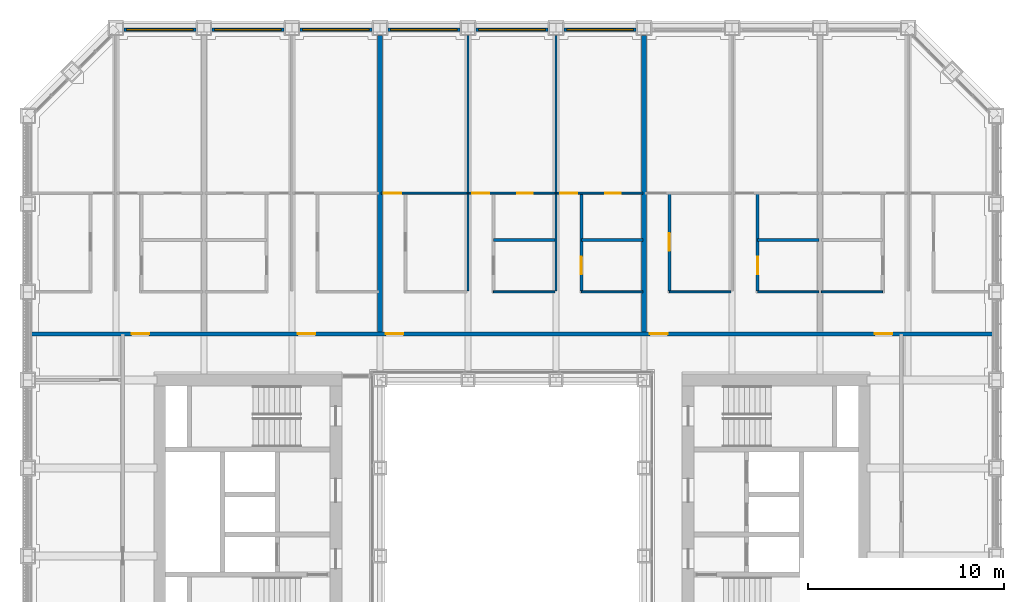
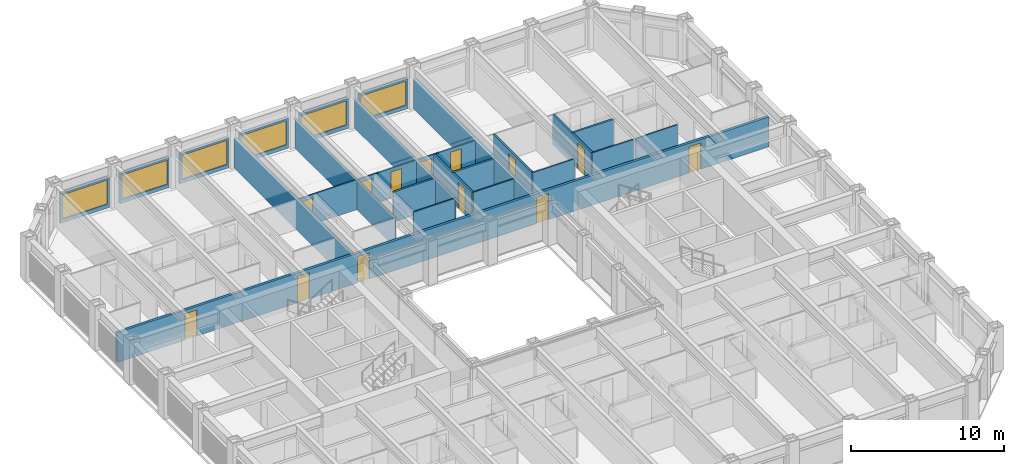
# One storey, part 14 of 21: 25 walls, 13 doors, 6 windows, 19 openings.
"""IFC4 building model written with IfcOpenShell, lengths in metres."""

from ifc_helpers import new_model, si_unit, direction, frame, frame_2d, origin, place, context, subcontext, project, spatial, rectangle, extrude, material, layer, layer_set, type_object, element, fill, save


model = new_model("IFC4")

# Units and contexts
model_context = context("Model", 3, precision=1e-05, world=origin(), true_north=direction((0.0, 1.0)))
body_context = subcontext(model_context, "Body", "Model", "MODEL_VIEW")
ifc_project = project(units=[si_unit("LENGTHUNIT", "METRE"), si_unit("AREAUNIT", "SQUARE_METRE"), si_unit("VOLUMEUNIT", "CUBIC_METRE"), si_unit("PLANEANGLEUNIT", "RADIAN"), si_unit("MASSUNIT", "GRAM", prefix="KILO")], contexts=[model_context])

# Site, building, storey
site_placement = place(None, origin())
site = spatial("IfcSite", under=ifc_project, at=site_placement, CompositionType="ELEMENT")
building_placement = place(site_placement, origin())
building = spatial("IfcBuilding", under=site, at=building_placement, Name="Msasa Ring Tower", CompositionType="ELEMENT")
storey_placement = place(building_placement, frame((0.0, 0.0, 51.0)))
storey = spatial("IfcBuildingStorey", under=building, at=storey_placement, Name="L12", CompositionType="ELEMENT", Elevation=51.0)

# Wall, opening, window
ifc_material_1 = material(Name="Terracotta rainscreen on blockwork", Category="masonry")
ifc_layer_1 = layer(ifc_material_1, 0.199951171875)
ifc_layer_set_1 = layer_set([ifc_layer_1], Name="FW1 TERRACOTTA-LINED INFILL BAY WALL 200")
wall_type_1 = type_object("IfcWallType", Name="FW1 TERRACOTTA-LINED INFILL BAY WALL 200", PredefinedType="SOLIDWALL", material=ifc_layer_set_1)
wall_1_placement = place(storey_placement, frame((-19.844970703125, 24.64990234375, 0.0), z_axis=(0.0, 0.0, 1.0), x_axis=(1.0, 0.0, 0.0)))
wall_1 = element("IfcWall", 1, at=wall_1_placement, inside=storey, type_object=wall_type_1, Name="Infill bay wall N L12 22", PredefinedType="SOLIDWALL", context=body_context, shape_type="SweptSolid", body=[
    extrude(rectangle(XDim=3.68994140625, YDim=0.199951171875, at=frame_2d((1.844970703125, 0.0))), origin(), (0.0, 0.0, 1.0), 2.37890625),
])
opening_1_placement = place(wall_1_placement, frame((0.14501953125, 0.0, 0.300048828125)))
opening_1 = element("IfcOpeningElement", 2, at=opening_1_placement, cuts=wall_1, Name="Opening WN1", PredefinedType="OPENING", context=body_context, shape_type="SweptSolid", body=[
    extrude(rectangle(XDim=3.39990234375, YDim=1.928955078125, at=frame_2d((1.699951171875, 0.96435546875))), frame((0.0, 0.10986328125, 0.0), z_axis=(0.0, -1.0, 0.0), x_axis=(1.0, 0.0, 0.0)), (0.0, 0.0, 1.0), 0.219970703125),
])
ifc_material_2 = material(Name="Aluminium frame with clear glass", Category="aluminium")
window_type = type_object("IfcWindowType", Name="WN1 RESIDENCE WINDOW 3400x1929", PartitioningType="SINGLE_PANEL", PredefinedType="WINDOW", material=ifc_material_2)
window_1_placement = place(opening_1_placement, origin())
window_1 = element("IfcWindow", 3, at=window_1_placement, inside=storey, type_object=window_type, Name="Window N L12 22", OverallHeight=1.928955078125, OverallWidth=3.39990234375, PartitioningType="SINGLE_PANEL", PredefinedType="WINDOW", context=body_context, shape_type="SweptSolid", body=[
    extrude(rectangle(XDim=3.39990234375, YDim=1.928955078125, at=frame_2d((1.699951171875, 0.96435546875))), frame((0.0, 0.030029296875, 0.0), z_axis=(0.0, -1.0, 0.0), x_axis=(1.0, 0.0, 0.0)), (0.0, 0.0, 1.0), 0.06005859375),
])
fill(opening_1, window_1)

wall_2_placement = place(storey_placement, frame((-15.344970703125, 24.64990234375, 0.0), z_axis=(0.0, 0.0, 1.0), x_axis=(1.0, 0.0, 0.0)))
wall_2 = element("IfcWall", 4, at=wall_2_placement, inside=storey, type_object=wall_type_1, Name="Infill bay wall N L12 23", PredefinedType="SOLIDWALL", context=body_context, shape_type="SweptSolid", body=[
    extrude(rectangle(XDim=3.68994140625, YDim=0.199951171875, at=frame_2d((1.844970703125, 0.0))), origin(), (0.0, 0.0, 1.0), 2.37890625),
])
opening_2_placement = place(wall_2_placement, frame((0.14501953125, 0.0, 0.300048828125)))
opening_2 = element("IfcOpeningElement", 5, at=opening_2_placement, cuts=wall_2, Name="Opening WN1", PredefinedType="OPENING", context=body_context, shape_type="SweptSolid", body=[
    extrude(rectangle(XDim=3.39990234375, YDim=1.928955078125, at=frame_2d((1.699951171875, 0.96435546875))), frame((0.0, 0.10986328125, 0.0), z_axis=(0.0, -1.0, 0.0), x_axis=(1.0, 0.0, 0.0)), (0.0, 0.0, 1.0), 0.219970703125),
])
window_2_placement = place(opening_2_placement, origin())
window_2 = element("IfcWindow", 6, at=window_2_placement, inside=storey, type_object=window_type, Name="Window N L12 23", OverallHeight=1.928955078125, OverallWidth=3.39990234375, PartitioningType="SINGLE_PANEL", PredefinedType="WINDOW", context=body_context, shape_type="SweptSolid", body=[
    extrude(rectangle(XDim=3.39990234375, YDim=1.928955078125, at=frame_2d((1.699951171875, 0.96435546875))), frame((0.0, 0.030029296875, 0.0), z_axis=(0.0, -1.0, 0.0), x_axis=(1.0, 0.0, 0.0)), (0.0, 0.0, 1.0), 0.06005859375),
])
fill(opening_2, window_2)

wall_3_placement = place(storey_placement, frame((-10.844970703125, 24.64990234375, 0.0), z_axis=(0.0, 0.0, 1.0), x_axis=(1.0, 0.0, 0.0)))
wall_3 = element("IfcWall", 7, at=wall_3_placement, inside=storey, type_object=wall_type_1, Name="Infill bay wall N L12 24", PredefinedType="SOLIDWALL", context=body_context, shape_type="SweptSolid", body=[
    extrude(rectangle(XDim=3.68994140625, YDim=0.199951171875, at=frame_2d((1.844970703125, 0.0))), origin(), (0.0, 0.0, 1.0), 2.37890625),
])
opening_3_placement = place(wall_3_placement, frame((0.14501953125, 0.0, 0.300048828125)))
opening_3 = element("IfcOpeningElement", 8, at=opening_3_placement, cuts=wall_3, Name="Opening WN1", PredefinedType="OPENING", context=body_context, shape_type="SweptSolid", body=[
    extrude(rectangle(XDim=3.39990234375, YDim=1.928955078125, at=frame_2d((1.699951171875, 0.96435546875))), frame((0.0, 0.10986328125, 0.0), z_axis=(0.0, -1.0, 0.0), x_axis=(1.0, 0.0, 0.0)), (0.0, 0.0, 1.0), 0.219970703125),
])
window_3_placement = place(opening_3_placement, origin())
window_3 = element("IfcWindow", 9, at=window_3_placement, inside=storey, type_object=window_type, Name="Window N L12 24", OverallHeight=1.928955078125, OverallWidth=3.39990234375, PartitioningType="SINGLE_PANEL", PredefinedType="WINDOW", context=body_context, shape_type="SweptSolid", body=[
    extrude(rectangle(XDim=3.39990234375, YDim=1.928955078125, at=frame_2d((1.699951171875, 0.96435546875))), frame((0.0, 0.030029296875, 0.0), z_axis=(0.0, -1.0, 0.0), x_axis=(1.0, 0.0, 0.0)), (0.0, 0.0, 1.0), 0.06005859375),
])
fill(opening_3, window_3)

wall_4_placement = place(storey_placement, frame((-6.344970703125, 24.64990234375, 0.0), z_axis=(0.0, 0.0, 1.0), x_axis=(1.0, 0.0, 0.0)))
wall_4 = element("IfcWall", 10, at=wall_4_placement, inside=storey, type_object=wall_type_1, Name="Infill bay wall N L12 25", PredefinedType="SOLIDWALL", context=body_context, shape_type="SweptSolid", body=[
    extrude(rectangle(XDim=3.68994140625, YDim=0.199951171875, at=frame_2d((1.844970703125, 0.0))), origin(), (0.0, 0.0, 1.0), 2.37890625),
])
opening_4_placement = place(wall_4_placement, frame((0.14501953125, 0.0, 0.300048828125)))
opening_4 = element("IfcOpeningElement", 11, at=opening_4_placement, cuts=wall_4, Name="Opening WN1", PredefinedType="OPENING", context=body_context, shape_type="SweptSolid", body=[
    extrude(rectangle(XDim=3.39990234375, YDim=1.928955078125, at=frame_2d((1.699951171875, 0.96435546875))), frame((0.0, 0.10986328125, 0.0), z_axis=(0.0, -1.0, 0.0), x_axis=(1.0, 0.0, 0.0)), (0.0, 0.0, 1.0), 0.219970703125),
])
window_4_placement = place(opening_4_placement, origin())
window_4 = element("IfcWindow", 12, at=window_4_placement, inside=storey, type_object=window_type, Name="Window N L12 25", OverallHeight=1.928955078125, OverallWidth=3.39990234375, PartitioningType="SINGLE_PANEL", PredefinedType="WINDOW", context=body_context, shape_type="SweptSolid", body=[
    extrude(rectangle(XDim=3.39990234375, YDim=1.928955078125, at=frame_2d((1.699951171875, 0.96435546875))), frame((0.0, 0.030029296875, 0.0), z_axis=(0.0, -1.0, 0.0), x_axis=(1.0, 0.0, 0.0)), (0.0, 0.0, 1.0), 0.06005859375),
])
fill(opening_4, window_4)

wall_5_placement = place(storey_placement, frame((-1.844970703125, 24.64990234375, 0.0), z_axis=(0.0, 0.0, 1.0), x_axis=(1.0, 0.0, 0.0)))
wall_5 = element("IfcWall", 13, at=wall_5_placement, inside=storey, type_object=wall_type_1, Name="Infill bay wall N L12 26", PredefinedType="SOLIDWALL", context=body_context, shape_type="SweptSolid", body=[
    extrude(rectangle(XDim=3.68994140625, YDim=0.199951171875, at=frame_2d((1.844970703125, 0.0))), origin(), (0.0, 0.0, 1.0), 2.37890625),
])
opening_5_placement = place(wall_5_placement, frame((0.14501953125, 0.0, 0.300048828125)))
opening_5 = element("IfcOpeningElement", 14, at=opening_5_placement, cuts=wall_5, Name="Opening WN1", PredefinedType="OPENING", context=body_context, shape_type="SweptSolid", body=[
    extrude(rectangle(XDim=3.39990234375, YDim=1.928955078125, at=frame_2d((1.699951171875, 0.96435546875))), frame((0.0, 0.10986328125, 0.0), z_axis=(0.0, -1.0, 0.0), x_axis=(1.0, 0.0, 0.0)), (0.0, 0.0, 1.0), 0.219970703125),
])
window_5_placement = place(opening_5_placement, origin())
window_5 = element("IfcWindow", 15, at=window_5_placement, inside=storey, type_object=window_type, Name="Window N L12 26", OverallHeight=1.928955078125, OverallWidth=3.39990234375, PartitioningType="SINGLE_PANEL", PredefinedType="WINDOW", context=body_context, shape_type="SweptSolid", body=[
    extrude(rectangle(XDim=3.39990234375, YDim=1.928955078125, at=frame_2d((1.699951171875, 0.96435546875))), frame((0.0, 0.030029296875, 0.0), z_axis=(0.0, -1.0, 0.0), x_axis=(1.0, 0.0, 0.0)), (0.0, 0.0, 1.0), 0.06005859375),
])
fill(opening_5, window_5)

wall_6_placement = place(storey_placement, frame((2.655029296875, 24.64990234375, 0.0), z_axis=(0.0, 0.0, 1.0), x_axis=(1.0, 0.0, 0.0)))
wall_6 = element("IfcWall", 16, at=wall_6_placement, inside=storey, type_object=wall_type_1, Name="Infill bay wall N L12 27", PredefinedType="SOLIDWALL", context=body_context, shape_type="SweptSolid", body=[
    extrude(rectangle(XDim=3.68994140625, YDim=0.199951171875, at=frame_2d((1.844970703125, 0.0))), origin(), (0.0, 0.0, 1.0), 2.37890625),
])
opening_6_placement = place(wall_6_placement, frame((0.14501953125, 0.0, 0.300048828125)))
opening_6 = element("IfcOpeningElement", 17, at=opening_6_placement, cuts=wall_6, Name="Opening WN1", PredefinedType="OPENING", context=body_context, shape_type="SweptSolid", body=[
    extrude(rectangle(XDim=3.39990234375, YDim=1.928955078125, at=frame_2d((1.699951171875, 0.96435546875))), frame((0.0, 0.10986328125, 0.0), z_axis=(0.0, -1.0, 0.0), x_axis=(1.0, 0.0, 0.0)), (0.0, 0.0, 1.0), 0.219970703125),
])
window_6_placement = place(opening_6_placement, origin())
window_6 = element("IfcWindow", 18, at=window_6_placement, inside=storey, type_object=window_type, Name="Window N L12 27", OverallHeight=1.928955078125, OverallWidth=3.39990234375, PartitioningType="SINGLE_PANEL", PredefinedType="WINDOW", context=body_context, shape_type="SweptSolid", body=[
    extrude(rectangle(XDim=3.39990234375, YDim=1.928955078125, at=frame_2d((1.699951171875, 0.96435546875))), frame((0.0, 0.030029296875, 0.0), z_axis=(0.0, -1.0, 0.0), x_axis=(1.0, 0.0, 0.0)), (0.0, 0.0, 1.0), 0.06005859375),
])
fill(opening_6, window_6)

# Wall, openings, doors
ifc_material_3 = material(Name="Concrete blockwork", Category="masonry")
ifc_layer_2 = layer(ifc_material_3, 0.199951171875)
ifc_layer_set_2 = layer_set([ifc_layer_2], Name="PT1 CORRIDOR WALL 200")
wall_type_2 = type_object("IfcWallType", Name="PT1 CORRIDOR WALL 200", PredefinedType="PARTITIONING", material=ifc_layer_set_2)
wall_7_placement = place(storey_placement, frame((-24.550048828125, 9.10009765625, 0.0), z_axis=(0.0, 0.0, 1.0), x_axis=(1.0, 0.0, 0.0)))
wall_7 = element("IfcWall", 19, at=wall_7_placement, inside=storey, type_object=wall_type_2, Name="Corridor wall L12-CORRN0", PredefinedType="PARTITIONING", context=body_context, shape_type="SweptSolid", body=[
    extrude(rectangle(XDim=49.10009765625, YDim=0.199951171875, at=frame_2d((24.550048828125, 0.0))), origin(), (0.0, 0.0, 1.0), 2.373291015625),
])
opening_7_placement = place(wall_7_placement, frame((5.10009765625, 0.0, 0.0)))
opening_7 = element("IfcOpeningElement", 20, at=opening_7_placement, cuts=wall_7, Name="Opening RC-029", PredefinedType="OPENING", context=body_context, shape_type="SweptSolid", body=[
    extrude(rectangle(XDim=0.89990234375, YDim=2.10009765625, at=frame_2d((0.449951171875, 1.050048828125))), frame((0.0, 0.10986328125, 0.0), z_axis=(0.0, -1.0, 0.0), x_axis=(1.0, 0.0, 0.0)), (0.0, 0.0, 1.0), 0.219970703125),
])
opening_8_placement = place(wall_7_placement, frame((13.60009765625, 0.0, 0.0)))
opening_8 = element("IfcOpeningElement", 21, at=opening_8_placement, cuts=wall_7, Name="Opening RC-030", PredefinedType="OPENING", context=body_context, shape_type="SweptSolid", body=[
    extrude(rectangle(XDim=0.89990234375, YDim=2.10009765625, at=frame_2d((0.449951171875, 1.050048828125))), frame((0.0, 0.10986328125, 0.0), z_axis=(0.0, -1.0, 0.0), x_axis=(1.0, 0.0, 0.0)), (0.0, 0.0, 1.0), 0.219970703125),
])
opening_9_placement = place(wall_7_placement, frame((18.10009765625, 0.0, 0.0)))
opening_9 = element("IfcOpeningElement", 22, at=opening_9_placement, cuts=wall_7, Name="Opening RC-031", PredefinedType="OPENING", context=body_context, shape_type="SweptSolid", body=[
    extrude(rectangle(XDim=0.89990234375, YDim=2.10009765625, at=frame_2d((0.449951171875, 1.050048828125))), frame((0.0, 0.10986328125, 0.0), z_axis=(0.0, -1.0, 0.0), x_axis=(1.0, 0.0, 0.0)), (0.0, 0.0, 1.0), 0.219970703125),
])
opening_10_placement = place(wall_7_placement, frame((31.60009765625, 0.0, 0.0)))
opening_10 = element("IfcOpeningElement", 23, at=opening_10_placement, cuts=wall_7, Name="Opening RC-032", PredefinedType="OPENING", context=body_context, shape_type="SweptSolid", body=[
    extrude(rectangle(XDim=0.89990234375, YDim=2.10009765625, at=frame_2d((0.449951171875, 1.050048828125))), frame((0.0, 0.10986328125, 0.0), z_axis=(0.0, -1.0, 0.0), x_axis=(1.0, 0.0, 0.0)), (0.0, 0.0, 1.0), 0.219970703125),
])
opening_11_placement = place(wall_7_placement, frame((43.10009765625, 0.0, 0.0)))
opening_11 = element("IfcOpeningElement", 24, at=opening_11_placement, cuts=wall_7, Name="Opening RC-033", PredefinedType="OPENING", context=body_context, shape_type="SweptSolid", body=[
    extrude(rectangle(XDim=0.89990234375, YDim=2.10009765625, at=frame_2d((0.449951171875, 1.050048828125))), frame((0.0, 0.10986328125, 0.0), z_axis=(0.0, -1.0, 0.0), x_axis=(1.0, 0.0, 0.0)), (0.0, 0.0, 1.0), 0.219970703125),
])
ifc_material_4 = material(Name="Timber door leaf in a steel frame", Category="steel")
door_type_1 = type_object("IfcDoorType", Name="D2 ENTRANCE DOOR 900x2100", OperationType="SINGLE_SWING_LEFT", PredefinedType="DOOR", material=ifc_material_4)
door_1_placement = place(opening_7_placement, origin())
door_1 = element("IfcDoor", 25, at=door_1_placement, inside=storey, type_object=door_type_1, Name="Door L12-UN00", OperationType="SINGLE_SWING_LEFT", OverallHeight=2.10009765625, OverallWidth=0.89990234375, PredefinedType="DOOR", context=body_context, shape_type="SweptSolid", body=[
    extrude(rectangle(XDim=0.89990234375, YDim=2.10009765625, at=frame_2d((0.449951171875, 1.050048828125))), frame((0.0, 0.02490234375, 0.0), z_axis=(0.0, -1.0, 0.0), x_axis=(1.0, 0.0, 0.0)), (0.0, 0.0, 1.0), 0.050048828125),
])
fill(opening_7, door_1)
door_2_placement = place(opening_8_placement, origin())
door_2 = element("IfcDoor", 26, at=door_2_placement, inside=storey, type_object=door_type_1, Name="Door L12-UN01", OperationType="SINGLE_SWING_LEFT", OverallHeight=2.10009765625, OverallWidth=0.89990234375, PredefinedType="DOOR", context=body_context, shape_type="SweptSolid", body=[
    extrude(rectangle(XDim=0.89990234375, YDim=2.10009765625, at=frame_2d((0.449951171875, 1.050048828125))), frame((0.0, 0.02490234375, 0.0), z_axis=(0.0, -1.0, 0.0), x_axis=(1.0, 0.0, 0.0)), (0.0, 0.0, 1.0), 0.050048828125),
])
fill(opening_8, door_2)
door_3_placement = place(opening_9_placement, origin())
door_3 = element("IfcDoor", 27, at=door_3_placement, inside=storey, type_object=door_type_1, Name="Door L12-UN02", OperationType="SINGLE_SWING_LEFT", OverallHeight=2.10009765625, OverallWidth=0.89990234375, PredefinedType="DOOR", context=body_context, shape_type="SweptSolid", body=[
    extrude(rectangle(XDim=0.89990234375, YDim=2.10009765625, at=frame_2d((0.449951171875, 1.050048828125))), frame((0.0, 0.02490234375, 0.0), z_axis=(0.0, -1.0, 0.0), x_axis=(1.0, 0.0, 0.0)), (0.0, 0.0, 1.0), 0.050048828125),
])
fill(opening_9, door_3)
door_4_placement = place(opening_10_placement, origin())
door_4 = element("IfcDoor", 28, at=door_4_placement, inside=storey, type_object=door_type_1, Name="Door L12-UN03", OperationType="SINGLE_SWING_RIGHT", OverallHeight=2.10009765625, OverallWidth=0.89990234375, PredefinedType="DOOR", context=body_context, shape_type="SweptSolid", body=[
    extrude(rectangle(XDim=0.89990234375, YDim=2.10009765625, at=frame_2d((0.449951171875, 1.050048828125))), frame((0.0, 0.02490234375, 0.0), z_axis=(0.0, -1.0, 0.0), x_axis=(1.0, 0.0, 0.0)), (0.0, 0.0, 1.0), 0.050048828125),
])
fill(opening_10, door_4)
door_5_placement = place(opening_11_placement, origin())
door_5 = element("IfcDoor", 29, at=door_5_placement, inside=storey, type_object=door_type_1, Name="Door L12-UN04", OperationType="SINGLE_SWING_RIGHT", OverallHeight=2.10009765625, OverallWidth=0.89990234375, PredefinedType="DOOR", context=body_context, shape_type="SweptSolid", body=[
    extrude(rectangle(XDim=0.89990234375, YDim=2.10009765625, at=frame_2d((0.449951171875, 1.050048828125))), frame((0.0, 0.02490234375, 0.0), z_axis=(0.0, -1.0, 0.0), x_axis=(1.0, 0.0, 0.0)), (0.0, 0.0, 1.0), 0.050048828125),
])
fill(opening_11, door_5)

# Wall, opening, door
ifc_material_5 = material(Name="Gypsum board on steel studs", Category="steel")
ifc_layer_3 = layer(ifc_material_5, 0.10009765625)
ifc_layer_set_3 = layer_set([ifc_layer_3], Name="PT2 STUD PARTITION 100")
wall_type_3 = type_object("IfcWallType", Name="PT2 STUD PARTITION 100", PredefinedType="PARTITIONING", material=ifc_layer_set_3)
wall_8_placement = place(storey_placement, frame((-6.68994140625, 16.300048828125, 0.0), z_axis=(0.0, 0.0, 1.0), x_axis=(1.0, 0.0, 0.0)))
wall_8 = element("IfcWall", 30, at=wall_8_placement, inside=storey, type_object=wall_type_3, Name="Partition L12-UN02SY0", PredefinedType="PARTITIONING", context=body_context, shape_type="SweptSolid", body=[
    extrude(rectangle(XDim=4.389892578125, YDim=0.10009765625, at=frame_2d((2.19482421875, 0.0))), origin(), (0.0, 0.0, 1.0), 2.373291015625),
])
opening_12_placement = place(wall_8_placement, frame((0.139892578125, 0.0, 0.0)))
opening_12 = element("IfcOpeningElement", 31, at=opening_12_placement, cuts=wall_8, Name="Opening RC-007", PredefinedType="OPENING", context=body_context, shape_type="SweptSolid", body=[
    extrude(rectangle(XDim=0.89990234375, YDim=2.10009765625, at=frame_2d((0.449951171875, 1.050048828125))), frame((0.0, 0.06005859375, 0.0), z_axis=(0.0, -1.0, 0.0), x_axis=(1.0, 0.0, 0.0)), (0.0, 0.0, 1.0), 0.1201171875),
])
ifc_material_6 = material(Name="Timber door leaf in a steel frame", Category="steel")
door_type_2 = type_object("IfcDoorType", Name="D22 INTERNAL HALL DOOR 900x2100", OperationType="SINGLE_SWING_LEFT", PredefinedType="DOOR", material=ifc_material_6)
door_6_placement = place(opening_12_placement, origin())
door_6 = element("IfcDoor", 32, at=door_6_placement, inside=storey, type_object=door_type_2, Name="Door L12-UN02L", OperationType="SINGLE_SWING_LEFT", OverallHeight=2.10009765625, OverallWidth=0.89990234375, PredefinedType="DOOR", context=body_context, shape_type="SweptSolid", body=[
    extrude(rectangle(XDim=0.89990234375, YDim=2.10009765625, at=frame_2d((0.449951171875, 1.050048828125))), frame((0.0, 0.02490234375, 0.0), z_axis=(0.0, -1.0, 0.0), x_axis=(1.0, 0.0, 0.0)), (0.0, 0.0, 1.0), 0.050048828125),
])
fill(opening_12, door_6)

# Walls
wall_9_placement = place(storey_placement, frame((-2.25, 11.300048828125, 0.0), z_axis=(0.0, 0.0, 1.0), x_axis=(0.0, 1.0, 0.0)))
element("IfcWall", 33, at=wall_9_placement, inside=storey, type_object=wall_type_3, Name="Partition L12-UN02P1", PredefinedType="PARTITIONING", context=body_context, shape_type="SweptSolid", body=[
    extrude(rectangle(XDim=13.050048828125, YDim=0.10009765625, at=frame_2d((6.52490234375, 0.0))), origin(), (0.0, 0.0, 1.0), 2.373291015625),
])
wall_10_placement = place(storey_placement, frame((-0.949951171875, 11.25, 0.0), z_axis=(0.0, 0.0, 1.0), x_axis=(1.0, 0.0, 0.0)))
element("IfcWall", 34, at=wall_10_placement, inside=storey, type_object=wall_type_3, Name="Partition L12-UN02HY1", PredefinedType="PARTITIONING", context=body_context, shape_type="SweptSolid", body=[
    extrude(rectangle(XDim=3.139892578125, YDim=0.10009765625, at=frame_2d((1.56982421875, 0.0))), origin(), (0.0, 0.0, 1.0), 2.373291015625),
])

# Wall, openings, doors
wall_11_placement = place(storey_placement, frame((-2.199951171875, 16.300048828125, 0.0), z_axis=(0.0, 0.0, 1.0), x_axis=(1.0, 0.0, 0.0)))
wall_11 = element("IfcWall", 35, at=wall_11_placement, inside=storey, type_object=wall_type_3, Name="Partition L12-UN02SY1", PredefinedType="PARTITIONING", context=body_context, shape_type="SweptSolid", body=[
    extrude(rectangle(XDim=4.39990234375, YDim=0.10009765625, at=frame_2d((2.199951171875, 0.0))), origin(), (0.0, 0.0, 1.0), 2.373291015625),
])
opening_13_placement = place(wall_11_placement, frame((0.175048828125, 0.0, 0.0)))
opening_13 = element("IfcOpeningElement", 36, at=opening_13_placement, cuts=wall_11, Name="Opening RC-008", PredefinedType="OPENING", context=body_context, shape_type="SweptSolid", body=[
    extrude(rectangle(XDim=0.85009765625, YDim=2.10009765625, at=frame_2d((0.425048828125, 1.050048828125))), frame((0.0, 0.06005859375, 0.0), z_axis=(0.0, -1.0, 0.0), x_axis=(1.0, 0.0, 0.0)), (0.0, 0.0, 1.0), 0.1201171875),
])
opening_14_placement = place(wall_11_placement, frame((2.4599609375, 0.0, 0.0)))
opening_14 = element("IfcOpeningElement", 37, at=opening_14_placement, cuts=wall_11, Name="Opening RC-009", PredefinedType="OPENING", context=body_context, shape_type="SweptSolid", body=[
    extrude(rectangle(XDim=0.800048828125, YDim=2.10009765625, at=frame_2d((0.39990234375, 1.050048828125))), frame((0.0, 0.06005859375, 0.0), z_axis=(0.0, -1.0, 0.0), x_axis=(1.0, 0.0, 0.0)), (0.0, 0.0, 1.0), 0.1201171875),
])
ifc_material_7 = material(Name="Timber door leaf in a steel frame", Category="steel")
door_type_3 = type_object("IfcDoorType", Name="D14 BEDROOM DOOR 850x2100", OperationType="SINGLE_SWING_LEFT", PredefinedType="DOOR", material=ifc_material_7)
door_7_placement = place(opening_13_placement, origin())
door_7 = element("IfcDoor", 38, at=door_7_placement, inside=storey, type_object=door_type_3, Name="Door L12-UN02R1", OperationType="SINGLE_SWING_LEFT", OverallHeight=2.10009765625, OverallWidth=0.85009765625, PredefinedType="DOOR", context=body_context, shape_type="SweptSolid", body=[
    extrude(rectangle(XDim=0.85009765625, YDim=2.10009765625, at=frame_2d((0.425048828125, 1.050048828125))), frame((0.0, 0.02490234375, 0.0), z_axis=(0.0, -1.0, 0.0), x_axis=(1.0, 0.0, 0.0)), (0.0, 0.0, 1.0), 0.050048828125),
])
fill(opening_13, door_7)
ifc_material_8 = material(Name="Timber door leaf in a steel frame", Category="steel")
door_type_4 = type_object("IfcDoorType", Name="D60 DRESSING ROOM DOOR 800x2100", OperationType="SINGLE_SWING_LEFT", PredefinedType="DOOR", material=ifc_material_8)
door_8_placement = place(opening_14_placement, origin())
door_8 = element("IfcDoor", 39, at=door_8_placement, inside=storey, type_object=door_type_4, Name="Door L12-UN02W1", OperationType="SINGLE_SWING_RIGHT", OverallHeight=2.10009765625, OverallWidth=0.800048828125, PredefinedType="DOOR", context=body_context, shape_type="SweptSolid", body=[
    extrude(rectangle(XDim=0.800048828125, YDim=2.10009765625, at=frame_2d((0.39990234375, 1.050048828125))), frame((0.0, 0.02490234375, 0.0), z_axis=(0.0, -1.0, 0.0), x_axis=(1.0, 0.0, 0.0)), (0.0, 0.0, 1.0), 0.050048828125),
])
fill(opening_14, door_8)

# Walls
wall_12_placement = place(storey_placement, frame((2.25, 11.300048828125, 0.0), z_axis=(0.0, 0.0, 1.0), x_axis=(0.0, 1.0, 0.0)))
element("IfcWall", 40, at=wall_12_placement, inside=storey, type_object=wall_type_3, Name="Partition L12-UN02P2", PredefinedType="PARTITIONING", context=body_context, shape_type="SweptSolid", body=[
    extrude(rectangle(XDim=13.050048828125, YDim=0.10009765625, at=frame_2d((6.52490234375, 0.0))), origin(), (0.0, 0.0, 1.0), 2.373291015625),
])
wall_13_placement = place(storey_placement, frame((3.550048828125, 11.25, 0.0), z_axis=(0.0, 0.0, 1.0), x_axis=(1.0, 0.0, 0.0)))
element("IfcWall", 41, at=wall_13_placement, inside=storey, type_object=wall_type_3, Name="Partition L12-UN02HY2", PredefinedType="PARTITIONING", context=body_context, shape_type="SweptSolid", body=[
    extrude(rectangle(XDim=3.139892578125, YDim=0.10009765625, at=frame_2d((1.56982421875, 0.0))), origin(), (0.0, 0.0, 1.0), 2.373291015625),
])

# Wall, openings, doors
wall_14_placement = place(storey_placement, frame((2.300048828125, 16.300048828125, 0.0), z_axis=(0.0, 0.0, 1.0), x_axis=(1.0, 0.0, 0.0)))
wall_14 = element("IfcWall", 42, at=wall_14_placement, inside=storey, type_object=wall_type_3, Name="Partition L12-UN02SY2", PredefinedType="PARTITIONING", context=body_context, shape_type="SweptSolid", body=[
    extrude(rectangle(XDim=4.389892578125, YDim=0.10009765625, at=frame_2d((2.19482421875, 0.0))), origin(), (0.0, 0.0, 1.0), 2.373291015625),
])
opening_15_placement = place(wall_14_placement, frame((0.175048828125, 0.0, 0.0)))
opening_15 = element("IfcOpeningElement", 43, at=opening_15_placement, cuts=wall_14, Name="Opening RC-010", PredefinedType="OPENING", context=body_context, shape_type="SweptSolid", body=[
    extrude(rectangle(XDim=0.85009765625, YDim=2.10009765625, at=frame_2d((0.425048828125, 1.050048828125))), frame((0.0, 0.06005859375, 0.0), z_axis=(0.0, -1.0, 0.0), x_axis=(1.0, 0.0, 0.0)), (0.0, 0.0, 1.0), 0.1201171875),
])
opening_16_placement = place(wall_14_placement, frame((2.4599609375, 0.0, 0.0)))
opening_16 = element("IfcOpeningElement", 44, at=opening_16_placement, cuts=wall_14, Name="Opening RC-011", PredefinedType="OPENING", context=body_context, shape_type="SweptSolid", body=[
    extrude(rectangle(XDim=0.800048828125, YDim=2.10009765625, at=frame_2d((0.39990234375, 1.050048828125))), frame((0.0, 0.06005859375, 0.0), z_axis=(0.0, -1.0, 0.0), x_axis=(1.0, 0.0, 0.0)), (0.0, 0.0, 1.0), 0.1201171875),
])
door_9_placement = place(opening_15_placement, origin())
door_9 = element("IfcDoor", 45, at=door_9_placement, inside=storey, type_object=door_type_3, Name="Door L12-UN02R2", OperationType="SINGLE_SWING_LEFT", OverallHeight=2.10009765625, OverallWidth=0.85009765625, PredefinedType="DOOR", context=body_context, shape_type="SweptSolid", body=[
    extrude(rectangle(XDim=0.85009765625, YDim=2.10009765625, at=frame_2d((0.425048828125, 1.050048828125))), frame((0.0, 0.02490234375, 0.0), z_axis=(0.0, -1.0, 0.0), x_axis=(1.0, 0.0, 0.0)), (0.0, 0.0, 1.0), 0.050048828125),
])
fill(opening_15, door_9)
door_10_placement = place(opening_16_placement, origin())
door_10 = element("IfcDoor", 46, at=door_10_placement, inside=storey, type_object=door_type_4, Name="Door L12-UN02W2", OperationType="SINGLE_SWING_RIGHT", OverallHeight=2.10009765625, OverallWidth=0.800048828125, PredefinedType="DOOR", context=body_context, shape_type="SweptSolid", body=[
    extrude(rectangle(XDim=0.800048828125, YDim=2.10009765625, at=frame_2d((0.39990234375, 1.050048828125))), frame((0.0, 0.02490234375, 0.0), z_axis=(0.0, -1.0, 0.0), x_axis=(1.0, 0.0, 0.0)), (0.0, 0.0, 1.0), 0.050048828125),
])
fill(opening_16, door_10)

# Walls
for number, where, z_axis, x_axis, name in (
    (47, (8.050048828125, 11.25, 0.0), (0.0, 0.0, 1.0), (1.0, 0.0, 0.0), "Partition L12-UN03HY0"),
    (48, (12.550048828125, 11.25, 0.0), (0.0, 0.0, 1.0), (1.0, 0.0, 0.0), "Partition L12-UN03HY1"),
    (49, (15.81005859375, 11.25, 0.0), (0.0, 0.0, 1.0), (1.0, 0.0, 0.0), "Partition L12-UN04HY1"),
):
    element("IfcWall", number, at=place(storey_placement, frame(where, z_axis=z_axis, x_axis=x_axis)), inside=storey, type_object=wall_type_3, Name=name, PredefinedType="PARTITIONING", context=body_context, shape_type="SweptSolid", body=[
        extrude(rectangle(XDim=3.139892578125, YDim=0.10009765625, at=frame_2d((1.56982421875, 0.0))), origin(), (0.0, 0.0, 1.0), 2.373291015625),
    ])
ifc_material_9 = material(Name="Dense concrete blockwork, plastered both faces", Category="masonry")
ifc_layer_4 = layer(ifc_material_9, 0.25)
ifc_layer_set_4 = layer_set([ifc_layer_4], Name="PT3 APARTMENT SEPARATING WALL 250")
wall_type_4 = type_object("IfcWallType", Name="PT3 APARTMENT SEPARATING WALL 250", PredefinedType="PARTITIONING", material=ifc_layer_set_4)
for number, where, z_axis, x_axis, name in (
    (50, (-6.75, 9.199951171875, 0.0), (0.0, 0.0, 1.0), (0.0, 1.0, 0.0), "Party wall L12-PWN-6.75"),
    (51, (6.75, 9.199951171875, 0.0), (0.0, 0.0, 1.0), (0.0, 1.0, 0.0), "Party wall L12-PWN+6.75"),
):
    element("IfcWall", number, at=place(storey_placement, frame(where, z_axis=z_axis, x_axis=x_axis)), inside=storey, type_object=wall_type_4, Name=name, PredefinedType="PARTITIONING", context=body_context, shape_type="SweptSolid", body=[
        extrude(rectangle(XDim=15.150146484375, YDim=0.25, at=frame_2d((7.5751953125, 0.0))), origin(), (0.0, 0.0, 1.0), 2.373291015625),
    ])
ifc_material_10 = material(Name="Moisture-resistant board on steel studs with a concealed cistern and pipe void, tiled", Category="steel")
ifc_layer_5 = layer(ifc_material_10, 0.14990234375)
ifc_layer_set_5 = layer_set([ifc_layer_5], Name="PT4 BATHROOM WET WALL 150")
wall_type_5 = type_object("IfcWallType", Name="PT4 BATHROOM WET WALL 150", PredefinedType="PARTITIONING", material=ifc_layer_set_5)
wall_15_placement = place(storey_placement, frame((-0.949951171875, 13.89990234375, 0.0), z_axis=(0.0, 0.0, 1.0), x_axis=(1.0, 0.0, 0.0)))
element("IfcWall", 52, at=wall_15_placement, inside=storey, type_object=wall_type_5, Name="Partition L12-UN02SB1", PredefinedType="PARTITIONING", context=body_context, shape_type="SweptSolid", body=[
    extrude(rectangle(XDim=3.14990234375, YDim=0.14990234375, at=frame_2d((1.574951171875, 0.0))), origin(), (0.0, 0.0, 1.0), 2.373291015625),
])

# Wall, opening, door
wall_16_placement = place(storey_placement, frame((3.550048828125, 11.300048828125, 0.0), z_axis=(0.0, 0.0, 1.0), x_axis=(0.0, 1.0, 0.0)))
wall_16 = element("IfcWall", 53, at=wall_16_placement, inside=storey, type_object=wall_type_5, Name="Partition L12-UN02SX2", PredefinedType="PARTITIONING", context=body_context, shape_type="SweptSolid", body=[
    extrude(rectangle(XDim=5.0, YDim=0.14990234375, at=frame_2d((2.5, 0.0))), origin(), (0.0, 0.0, 1.0), 2.373291015625),
])
opening_17_placement = place(wall_16_placement, frame((0.85009765625, 0.0, 0.0)))
opening_17 = element("IfcOpeningElement", 54, at=opening_17_placement, cuts=wall_16, Name="Opening RC-026", PredefinedType="OPENING", context=body_context, shape_type="SweptSolid", body=[
    extrude(rectangle(XDim=0.89990234375, YDim=2.10009765625, at=frame_2d((0.449951171875, 1.050048828125))), frame((0.0, 0.0849609375, 0.0), z_axis=(0.0, -1.0, 0.0), x_axis=(1.0, 0.0, 0.0)), (0.0, 0.0, 1.0), 0.169921875),
])
ifc_material_11 = material(Name="Timber door leaf in a steel frame", Category="steel")
door_type_5 = type_object("IfcDoorType", Name="D3 BATHROOM DOOR 900x2100", OperationType="SINGLE_SWING_LEFT", PredefinedType="DOOR", material=ifc_material_11)
door_11_placement = place(opening_17_placement, origin())
door_11 = element("IfcDoor", 55, at=door_11_placement, inside=storey, type_object=door_type_5, Name="Door L12-UN02B2", OperationType="SINGLE_SWING_LEFT", OverallHeight=2.10009765625, OverallWidth=0.89990234375, PredefinedType="DOOR", context=body_context, shape_type="SweptSolid", body=[
    extrude(rectangle(XDim=0.89990234375, YDim=2.10009765625, at=frame_2d((0.449951171875, 1.050048828125))), frame((0.0, 0.02490234375, 0.0), z_axis=(0.0, -1.0, 0.0), x_axis=(1.0, 0.0, 0.0)), (0.0, 0.0, 1.0), 0.050048828125),
])
fill(opening_17, door_11)

# Wall
wall_17_placement = place(storey_placement, frame((3.550048828125, 13.89990234375, 0.0), z_axis=(0.0, 0.0, 1.0), x_axis=(1.0, 0.0, 0.0)))
element("IfcWall", 56, at=wall_17_placement, inside=storey, type_object=wall_type_5, Name="Partition L12-UN02SB2", PredefinedType="PARTITIONING", context=body_context, shape_type="SweptSolid", body=[
    extrude(rectangle(XDim=3.139892578125, YDim=0.14990234375, at=frame_2d((1.56982421875, 0.0))), origin(), (0.0, 0.0, 1.0), 2.373291015625),
])

# Wall, opening, door
wall_18_placement = place(storey_placement, frame((8.050048828125, 11.300048828125, 0.0), z_axis=(0.0, 0.0, 1.0), x_axis=(0.0, 1.0, 0.0)))
wall_18 = element("IfcWall", 57, at=wall_18_placement, inside=storey, type_object=wall_type_5, Name="Partition L12-UN03SX0", PredefinedType="PARTITIONING", context=body_context, shape_type="SweptSolid", body=[
    extrude(rectangle(XDim=5.0, YDim=0.14990234375, at=frame_2d((2.5, 0.0))), origin(), (0.0, 0.0, 1.0), 2.373291015625),
])
opening_18_placement = place(wall_18_placement, frame((2.050048828125, 0.0, 0.0)))
opening_18 = element("IfcOpeningElement", 58, at=opening_18_placement, cuts=wall_18, Name="Opening RC-021", PredefinedType="OPENING", context=body_context, shape_type="SweptSolid", body=[
    extrude(rectangle(XDim=0.89990234375, YDim=2.10009765625, at=frame_2d((0.449951171875, 1.050048828125))), frame((0.0, 0.0849609375, 0.0), z_axis=(0.0, -1.0, 0.0), x_axis=(1.0, 0.0, 0.0)), (0.0, 0.0, 1.0), 0.169921875),
])
door_12_placement = place(opening_18_placement, origin())
door_12 = element("IfcDoor", 59, at=door_12_placement, inside=storey, type_object=door_type_2, Name="Door L12-UN03K", OperationType="SINGLE_SWING_LEFT", OverallHeight=2.10009765625, OverallWidth=0.89990234375, PredefinedType="DOOR", context=body_context, shape_type="SweptSolid", body=[
    extrude(rectangle(XDim=0.89990234375, YDim=2.10009765625, at=frame_2d((0.449951171875, 1.050048828125))), frame((0.0, 0.02490234375, 0.0), z_axis=(0.0, -1.0, 0.0), x_axis=(1.0, 0.0, 0.0)), (0.0, 0.0, 1.0), 0.050048828125),
])
fill(opening_18, door_12)

wall_19_placement = place(storey_placement, frame((12.550048828125, 11.300048828125, 0.0), z_axis=(0.0, 0.0, 1.0), x_axis=(0.0, 1.0, 0.0)))
wall_19 = element("IfcWall", 60, at=wall_19_placement, inside=storey, type_object=wall_type_5, Name="Partition L12-UN03SX1", PredefinedType="PARTITIONING", context=body_context, shape_type="SweptSolid", body=[
    extrude(rectangle(XDim=5.0, YDim=0.14990234375, at=frame_2d((2.5, 0.0))), origin(), (0.0, 0.0, 1.0), 2.373291015625),
])
opening_19_placement = place(wall_19_placement, frame((0.85009765625, 0.0, 0.0)))
opening_19 = element("IfcOpeningElement", 61, at=opening_19_placement, cuts=wall_19, Name="Opening RC-027", PredefinedType="OPENING", context=body_context, shape_type="SweptSolid", body=[
    extrude(rectangle(XDim=0.89990234375, YDim=2.10009765625, at=frame_2d((0.449951171875, 1.050048828125))), frame((0.0, 0.0849609375, 0.0), z_axis=(0.0, -1.0, 0.0), x_axis=(1.0, 0.0, 0.0)), (0.0, 0.0, 1.0), 0.169921875),
])
door_13_placement = place(opening_19_placement, origin())
door_13 = element("IfcDoor", 62, at=door_13_placement, inside=storey, type_object=door_type_5, Name="Door L12-UN03B1", OperationType="SINGLE_SWING_LEFT", OverallHeight=2.10009765625, OverallWidth=0.89990234375, PredefinedType="DOOR", context=body_context, shape_type="SweptSolid", body=[
    extrude(rectangle(XDim=0.89990234375, YDim=2.10009765625, at=frame_2d((0.449951171875, 1.050048828125))), frame((0.0, 0.02490234375, 0.0), z_axis=(0.0, -1.0, 0.0), x_axis=(1.0, 0.0, 0.0)), (0.0, 0.0, 1.0), 0.050048828125),
])
fill(opening_19, door_13)

# Wall
wall_20_placement = place(storey_placement, frame((12.550048828125, 13.89990234375, 0.0), z_axis=(0.0, 0.0, 1.0), x_axis=(1.0, 0.0, 0.0)))
element("IfcWall", 63, at=wall_20_placement, inside=storey, type_object=wall_type_5, Name="Partition L12-UN03SB1", PredefinedType="PARTITIONING", context=body_context, shape_type="SweptSolid", body=[
    extrude(rectangle(XDim=3.139892578125, YDim=0.14990234375, at=frame_2d((1.56982421875, 0.0))), origin(), (0.0, 0.0, 1.0), 2.373291015625),
])

save(model, "model.ifc")
